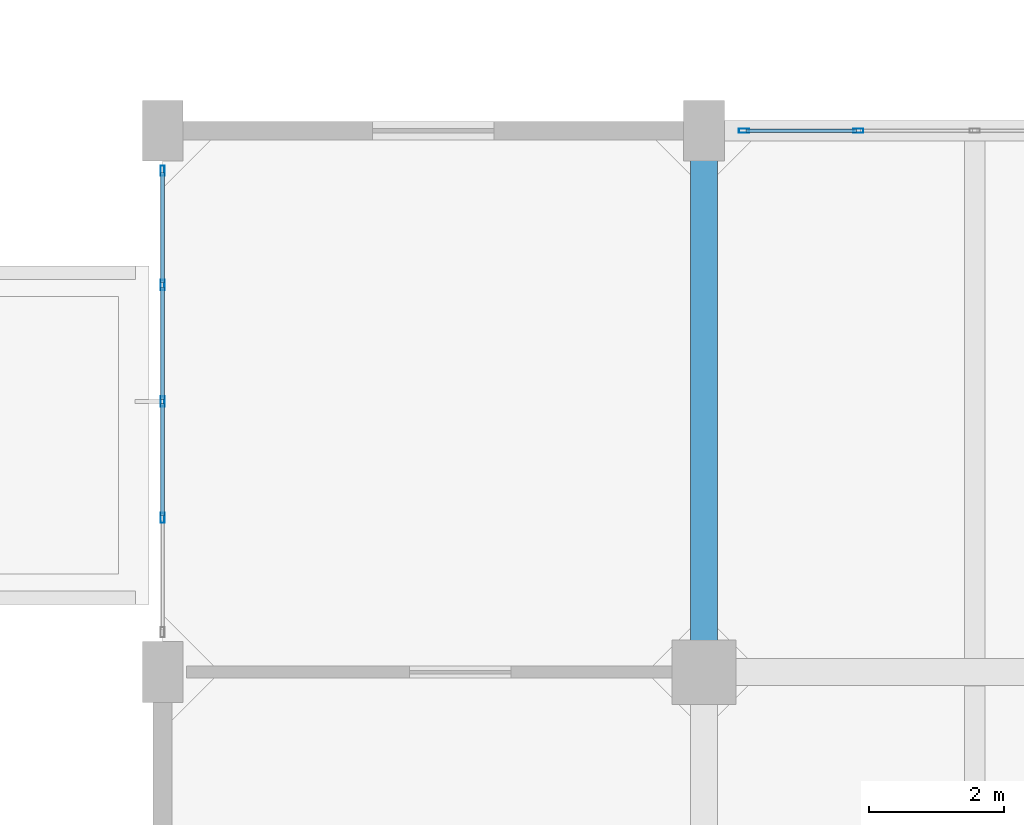
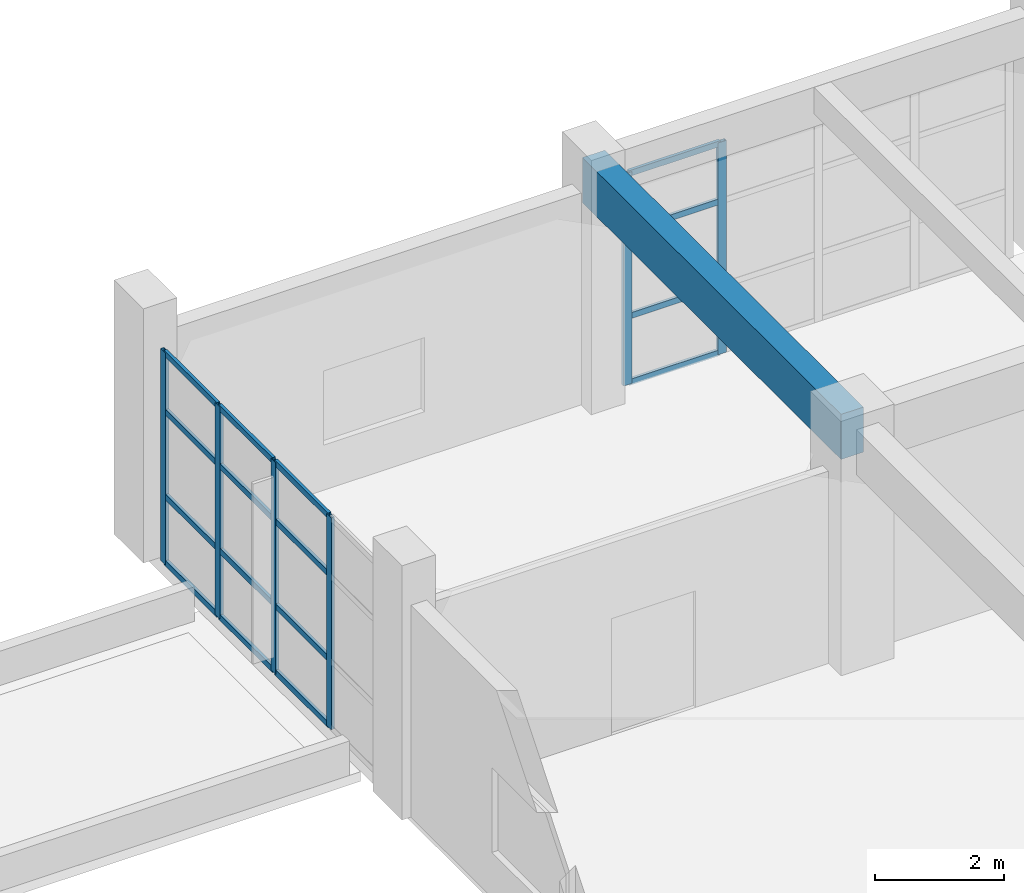
# One storey, part 21 of 63: 22 members, 1 beam, 2 elements without a shape of their own.
"""IFC4 building model written with IfcOpenShell, lengths in metres."""

from ifc_helpers import new_model, si_unit, direction, frame, origin, origin_2d, place, context, subcontext, project, spatial, rectangle, hollow_rectangle, extrude, material, layer, layer_set, material_profile, profile_set, type_object, element, aggregate, save


model = new_model("IFC4")

# Units and contexts
model_context = context("Model", 3, precision=1e-05, world=origin(), true_north=direction((0.0, 1.0)))
body_context = subcontext(model_context, "Body", "Model", "MODEL_VIEW")
ifc_project = project(units=[si_unit("LENGTHUNIT", "METRE"), si_unit("AREAUNIT", "SQUARE_METRE"), si_unit("VOLUMEUNIT", "CUBIC_METRE"), si_unit("PLANEANGLEUNIT", "RADIAN"), si_unit("MASSUNIT", "GRAM", prefix="KILO")], contexts=[model_context])

# Site, building, storey
site_placement = place(None, origin())
site = spatial("IfcSite", under=ifc_project, at=site_placement, CompositionType="ELEMENT")
building_placement = place(site_placement, origin())
building = spatial("IfcBuilding", under=site, at=building_placement, Name="Canggui Botanical Conservatory", CompositionType="ELEMENT")
storey_placement = place(building_placement, frame((0.0, 0.0, 10.199951171875)))
storey = spatial("IfcBuildingStorey", under=building, at=storey_placement, Name="L03", CompositionType="ELEMENT", Elevation=10.199951171875)

# Beam
ifc_material_1 = material(Name="Concrete C35", Category="concrete")
ifc_material_profile_1 = material_profile(ifc_material_1, rectangle(XDim=0.39990234375, YDim=0.85009765625, at=origin_2d()), Name="RB 400x850")
ifc_profile_set_1 = profile_set([ifc_material_profile_1], Name="Concrete C35")
beam_type = type_object("IfcBeamType", Name="BM-KL08", PredefinedType="BEAM", material=ifc_profile_set_1)
beam_placement = place(storey_placement, frame((138.0, 74.0, 4.125), z_axis=(0.0, 1.0, 0.0), x_axis=(-1.0, 0.0, 0.0)))
element("IfcBeam", 1, at=beam_placement, inside=storey, type_object=beam_type, Name="Frame Girder L03 X138-7", PredefinedType="BEAM", context=body_context, shape_type="SweptSolid", body=[
    extrude(rectangle(XDim=0.39990234375, YDim=0.85009765625, at=origin_2d()), origin(), (0.0, 0.0, 1.0), 8.0),
])

# Curtain wall, members
ifc_material_2 = material(Name="Thermally Broken Aluminium", Category="aluminium")
ifc_layer = layer(ifc_material_2, 0.14990234375, Name="Thermally Broken Aluminium", Category="aluminium")
ifc_layer_set = layer_set([ifc_layer], Name="Thermally Broken Aluminium")
curtain_wall_type = type_object("IfcCurtainWallType", Name="CW-UNIT-C", PredefinedType="USERDEFINED", material=ifc_layer_set)
curtain_wall_1_placement = place(storey_placement, origin())
curtain_wall_1 = element("IfcCurtainWall", 2, at=curtain_wall_1_placement, inside=storey, type_object=curtain_wall_type, Name="Facade Curtain Wall CW-TWR-L03-13", ObjectType="UNITISED CURTAIN WALL", PredefinedType="USERDEFINED")
ifc_material_profile_2 = material_profile(ifc_material_2, hollow_rectangle(XDim=0.06005859375, YDim=0.14990234375, WallThickness=0.00341796875, at=origin_2d()), Name="CWM 60x150x3.5")
ifc_profile_set_2 = profile_set([ifc_material_profile_2], Name="Thermally Broken Aluminium")
member_type_1 = type_object("IfcMemberType", Name="CWM-03", PredefinedType="MULLION", material=ifc_profile_set_2)
member_1_placement = place(storey_placement, frame((130.0, 76.280029296875, 0.0), z_axis=(0.0, 0.0, 1.0), x_axis=(-1.0, 0.0, 0.0)))
member_1 = element("IfcMember", 3, at=member_1_placement, type_object=member_type_1, Name="CW-03 mullion 2", PredefinedType="MULLION", context=body_context, shape_type="SweptSolid", body=[
    extrude(hollow_rectangle(XDim=0.06005859375, YDim=0.14990234375, WallThickness=0.00341796875, at=origin_2d()), origin(), (0.0, 0.0, 1.0), 4.0),
])
member_2_placement = place(storey_placement, frame((130.0, 78.0, 0.0), z_axis=(0.0, 0.0, 1.0), x_axis=(-1.0, 0.0, 0.0)))
member_2 = element("IfcMember", 4, at=member_2_placement, type_object=member_type_1, Name="CW-03 mullion 3", PredefinedType="MULLION", context=body_context, shape_type="SweptSolid", body=[
    extrude(hollow_rectangle(XDim=0.06005859375, YDim=0.14990234375, WallThickness=0.00341796875, at=origin_2d()), origin(), (0.0, 0.0, 1.0), 4.0),
])
member_3_placement = place(storey_placement, frame((130.0, 79.719970703125, 0.0), z_axis=(0.0, 0.0, 1.0), x_axis=(-1.0, 0.0, 0.0)))
member_3 = element("IfcMember", 5, at=member_3_placement, type_object=member_type_1, Name="CW-03 mullion 4", PredefinedType="MULLION", context=body_context, shape_type="SweptSolid", body=[
    extrude(hollow_rectangle(XDim=0.06005859375, YDim=0.14990234375, WallThickness=0.00341796875, at=origin_2d()), origin(), (0.0, 0.0, 1.0), 4.0),
])
member_4_placement = place(storey_placement, frame((130.0, 81.409912109375, 0.0), z_axis=(0.0, 0.0, 1.0), x_axis=(-1.0, 0.0, 0.0)))
member_4 = element("IfcMember", 6, at=member_4_placement, type_object=member_type_1, Name="CW-03 mullion 5", PredefinedType="MULLION", context=body_context, shape_type="SweptSolid", body=[
    extrude(hollow_rectangle(XDim=0.06005859375, YDim=0.14990234375, WallThickness=0.00341796875, at=origin_2d()), origin(), (0.0, 0.0, 1.0), 4.0),
])

curtain_wall_2_placement = place(storey_placement, origin())
curtain_wall_2 = element("IfcCurtainWall", 7, at=curtain_wall_2_placement, inside=storey, type_object=curtain_wall_type, Name="Facade Curtain Wall CW-TWR-L03-15", ObjectType="UNITISED CURTAIN WALL", PredefinedType="USERDEFINED")
member_5_placement = place(storey_placement, frame((138.590087890625, 82.0, 0.0), z_axis=(0.0, 0.0, 1.0), x_axis=(0.0, 1.0, 0.0)))
member_5 = element("IfcMember", 8, at=member_5_placement, type_object=member_type_1, Name="CW-03 mullion 1", PredefinedType="MULLION", context=body_context, shape_type="SweptSolid", body=[
    extrude(hollow_rectangle(XDim=0.06005859375, YDim=0.14990234375, WallThickness=0.00341796875, at=origin_2d()), origin(), (0.0, 0.0, 1.0), 4.0),
])
member_6_placement = place(storey_placement, frame((140.280029296875, 82.0, 0.0), z_axis=(0.0, 0.0, 1.0), x_axis=(0.0, 1.0, 0.0)))
member_6 = element("IfcMember", 9, at=member_6_placement, type_object=member_type_1, Name="CW-03 mullion 2", PredefinedType="MULLION", context=body_context, shape_type="SweptSolid", body=[
    extrude(hollow_rectangle(XDim=0.06005859375, YDim=0.14990234375, WallThickness=0.00341796875, at=origin_2d()), origin(), (0.0, 0.0, 1.0), 4.0),
])

# Member
ifc_material_profile_3 = material_profile(ifc_material_2, hollow_rectangle(XDim=0.054931640625, YDim=0.110107421875, WallThickness=0.0029296875, at=origin_2d()), Name="CWT 55x110x3")
ifc_profile_set_3 = profile_set([ifc_material_profile_3], Name="Thermally Broken Aluminium")
member_type_2 = type_object("IfcMemberType", Name="CWT-03", PredefinedType="USERDEFINED", material=ifc_profile_set_3)
member_7_placement = place(storey_placement, frame((130.0, 76.31005859375, 0.027587890625), z_axis=(0.0, 1.0, 0.0), x_axis=(-1.0, 0.0, 0.0)))
member_7 = element("IfcMember", 10, at=member_7_placement, type_object=member_type_2, Name="CW-03 transom 2.1", ObjectType="TRANSOM", PredefinedType="USERDEFINED", context=body_context, shape_type="SweptSolid", body=[
    extrude(hollow_rectangle(XDim=0.054931640625, YDim=0.110107421875, WallThickness=0.0029296875, at=origin_2d()), origin(), (0.0, 0.0, 1.0), 1.659912109375),
])

member_8_placement = place(storey_placement, frame((130.0, 76.31005859375, 1.280029296875), z_axis=(0.0, 1.0, 0.0), x_axis=(-1.0, 0.0, 0.0)))
member_8 = element("IfcMember", 11, at=member_8_placement, type_object=member_type_2, Name="CW-03 transom 2.2", ObjectType="TRANSOM", PredefinedType="USERDEFINED", context=body_context, shape_type="SweptSolid", body=[
    extrude(hollow_rectangle(XDim=0.054931640625, YDim=0.110107421875, WallThickness=0.0029296875, at=origin_2d()), origin(), (0.0, 0.0, 1.0), 1.659912109375),
])

member_9_placement = place(storey_placement, frame((130.0, 76.31005859375, 2.880126953125), z_axis=(0.0, 1.0, 0.0), x_axis=(-1.0, 0.0, 0.0)))
member_9 = element("IfcMember", 12, at=member_9_placement, type_object=member_type_2, Name="CW-03 transom 2.3", ObjectType="TRANSOM", PredefinedType="USERDEFINED", context=body_context, shape_type="SweptSolid", body=[
    extrude(hollow_rectangle(XDim=0.054931640625, YDim=0.110107421875, WallThickness=0.0029296875, at=origin_2d()), origin(), (0.0, 0.0, 1.0), 1.659912109375),
])

member_10_placement = place(storey_placement, frame((130.0, 76.31005859375, 3.97265625), z_axis=(0.0, 1.0, 0.0), x_axis=(-1.0, 0.0, 0.0)))
member_10 = element("IfcMember", 13, at=member_10_placement, type_object=member_type_2, Name="CW-03 transom 2.4", ObjectType="TRANSOM", PredefinedType="USERDEFINED", context=body_context, shape_type="SweptSolid", body=[
    extrude(hollow_rectangle(XDim=0.054931640625, YDim=0.110107421875, WallThickness=0.0029296875, at=origin_2d()), origin(), (0.0, 0.0, 1.0), 1.659912109375),
])

member_11_placement = place(storey_placement, frame((130.0, 78.030029296875, 0.027587890625), z_axis=(0.0, 1.0, 0.0), x_axis=(-1.0, 0.0, 0.0)))
member_11 = element("IfcMember", 14, at=member_11_placement, type_object=member_type_2, Name="CW-03 transom 3.1", ObjectType="TRANSOM", PredefinedType="USERDEFINED", context=body_context, shape_type="SweptSolid", body=[
    extrude(hollow_rectangle(XDim=0.054931640625, YDim=0.110107421875, WallThickness=0.0029296875, at=origin_2d()), origin(), (0.0, 0.0, 1.0), 1.659912109375),
])

member_12_placement = place(storey_placement, frame((130.0, 78.030029296875, 1.280029296875), z_axis=(0.0, 1.0, 0.0), x_axis=(-1.0, 0.0, 0.0)))
member_12 = element("IfcMember", 15, at=member_12_placement, type_object=member_type_2, Name="CW-03 transom 3.2", ObjectType="TRANSOM", PredefinedType="USERDEFINED", context=body_context, shape_type="SweptSolid", body=[
    extrude(hollow_rectangle(XDim=0.054931640625, YDim=0.110107421875, WallThickness=0.0029296875, at=origin_2d()), origin(), (0.0, 0.0, 1.0), 1.659912109375),
])

member_13_placement = place(storey_placement, frame((130.0, 78.030029296875, 2.880126953125), z_axis=(0.0, 1.0, 0.0), x_axis=(-1.0, 0.0, 0.0)))
member_13 = element("IfcMember", 16, at=member_13_placement, type_object=member_type_2, Name="CW-03 transom 3.3", ObjectType="TRANSOM", PredefinedType="USERDEFINED", context=body_context, shape_type="SweptSolid", body=[
    extrude(hollow_rectangle(XDim=0.054931640625, YDim=0.110107421875, WallThickness=0.0029296875, at=origin_2d()), origin(), (0.0, 0.0, 1.0), 1.659912109375),
])

member_14_placement = place(storey_placement, frame((130.0, 78.030029296875, 3.97265625), z_axis=(0.0, 1.0, 0.0), x_axis=(-1.0, 0.0, 0.0)))
member_14 = element("IfcMember", 17, at=member_14_placement, type_object=member_type_2, Name="CW-03 transom 3.4", ObjectType="TRANSOM", PredefinedType="USERDEFINED", context=body_context, shape_type="SweptSolid", body=[
    extrude(hollow_rectangle(XDim=0.054931640625, YDim=0.110107421875, WallThickness=0.0029296875, at=origin_2d()), origin(), (0.0, 0.0, 1.0), 1.659912109375),
])

member_15_placement = place(storey_placement, frame((130.0, 79.75, 0.027587890625), z_axis=(0.0, 1.0, 0.0), x_axis=(-1.0, 0.0, 0.0)))
member_15 = element("IfcMember", 18, at=member_15_placement, type_object=member_type_2, Name="CW-03 transom 4.1", ObjectType="TRANSOM", PredefinedType="USERDEFINED", context=body_context, shape_type="SweptSolid", body=[
    extrude(hollow_rectangle(XDim=0.054931640625, YDim=0.110107421875, WallThickness=0.0029296875, at=origin_2d()), origin(), (0.0, 0.0, 1.0), 1.6298828125),
])

member_16_placement = place(storey_placement, frame((130.0, 79.75, 1.280029296875), z_axis=(0.0, 1.0, 0.0), x_axis=(-1.0, 0.0, 0.0)))
member_16 = element("IfcMember", 19, at=member_16_placement, type_object=member_type_2, Name="CW-03 transom 4.2", ObjectType="TRANSOM", PredefinedType="USERDEFINED", context=body_context, shape_type="SweptSolid", body=[
    extrude(hollow_rectangle(XDim=0.054931640625, YDim=0.110107421875, WallThickness=0.0029296875, at=origin_2d()), origin(), (0.0, 0.0, 1.0), 1.6298828125),
])

member_17_placement = place(storey_placement, frame((130.0, 79.75, 2.880126953125), z_axis=(0.0, 1.0, 0.0), x_axis=(-1.0, 0.0, 0.0)))
member_17 = element("IfcMember", 20, at=member_17_placement, type_object=member_type_2, Name="CW-03 transom 4.3", ObjectType="TRANSOM", PredefinedType="USERDEFINED", context=body_context, shape_type="SweptSolid", body=[
    extrude(hollow_rectangle(XDim=0.054931640625, YDim=0.110107421875, WallThickness=0.0029296875, at=origin_2d()), origin(), (0.0, 0.0, 1.0), 1.6298828125),
])

member_18_placement = place(storey_placement, frame((130.0, 79.75, 3.97265625), z_axis=(0.0, 1.0, 0.0), x_axis=(-1.0, 0.0, 0.0)))
member_18 = element("IfcMember", 21, at=member_18_placement, type_object=member_type_2, Name="CW-03 transom 4.4", ObjectType="TRANSOM", PredefinedType="USERDEFINED", context=body_context, shape_type="SweptSolid", body=[
    extrude(hollow_rectangle(XDim=0.054931640625, YDim=0.110107421875, WallThickness=0.0029296875, at=origin_2d()), origin(), (0.0, 0.0, 1.0), 1.6298828125),
])

aggregate(curtain_wall_1, [member_1, member_2, member_3, member_4, member_7, member_8, member_9, member_10, member_11, member_12, member_13, member_14, member_15, member_16, member_17, member_18])

member_19_placement = place(storey_placement, frame((138.6201171875, 82.0, 0.027587890625), z_axis=(1.0, 0.0, 0.0), x_axis=(0.0, 1.0, 0.0)))
member_19 = element("IfcMember", 22, at=member_19_placement, type_object=member_type_2, Name="CW-03 transom 1.1", ObjectType="TRANSOM", PredefinedType="USERDEFINED", context=body_context, shape_type="SweptSolid", body=[
    extrude(hollow_rectangle(XDim=0.054931640625, YDim=0.110107421875, WallThickness=0.0029296875, at=origin_2d()), origin(), (0.0, 0.0, 1.0), 1.6298828125),
])

member_20_placement = place(storey_placement, frame((138.6201171875, 82.0, 1.280029296875), z_axis=(1.0, 0.0, 0.0), x_axis=(0.0, 1.0, 0.0)))
member_20 = element("IfcMember", 23, at=member_20_placement, type_object=member_type_2, Name="CW-03 transom 1.2", ObjectType="TRANSOM", PredefinedType="USERDEFINED", context=body_context, shape_type="SweptSolid", body=[
    extrude(hollow_rectangle(XDim=0.054931640625, YDim=0.110107421875, WallThickness=0.0029296875, at=origin_2d()), origin(), (0.0, 0.0, 1.0), 1.6298828125),
])

member_21_placement = place(storey_placement, frame((138.6201171875, 82.0, 2.880126953125), z_axis=(1.0, 0.0, 0.0), x_axis=(0.0, 1.0, 0.0)))
member_21 = element("IfcMember", 24, at=member_21_placement, type_object=member_type_2, Name="CW-03 transom 1.3", ObjectType="TRANSOM", PredefinedType="USERDEFINED", context=body_context, shape_type="SweptSolid", body=[
    extrude(hollow_rectangle(XDim=0.054931640625, YDim=0.110107421875, WallThickness=0.0029296875, at=origin_2d()), origin(), (0.0, 0.0, 1.0), 1.6298828125),
])

member_22_placement = place(storey_placement, frame((138.6201171875, 82.0, 3.97265625), z_axis=(1.0, 0.0, 0.0), x_axis=(0.0, 1.0, 0.0)))
member_22 = element("IfcMember", 25, at=member_22_placement, type_object=member_type_2, Name="CW-03 transom 1.4", ObjectType="TRANSOM", PredefinedType="USERDEFINED", context=body_context, shape_type="SweptSolid", body=[
    extrude(hollow_rectangle(XDim=0.054931640625, YDim=0.110107421875, WallThickness=0.0029296875, at=origin_2d()), origin(), (0.0, 0.0, 1.0), 1.6298828125),
])

aggregate(curtain_wall_2, [member_5, member_6, member_19, member_20, member_21, member_22])

save(model, "model.ifc")
